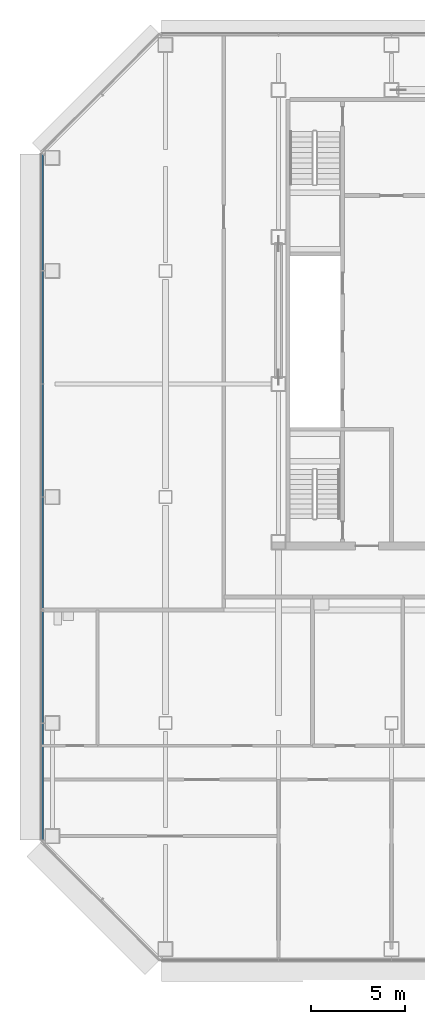
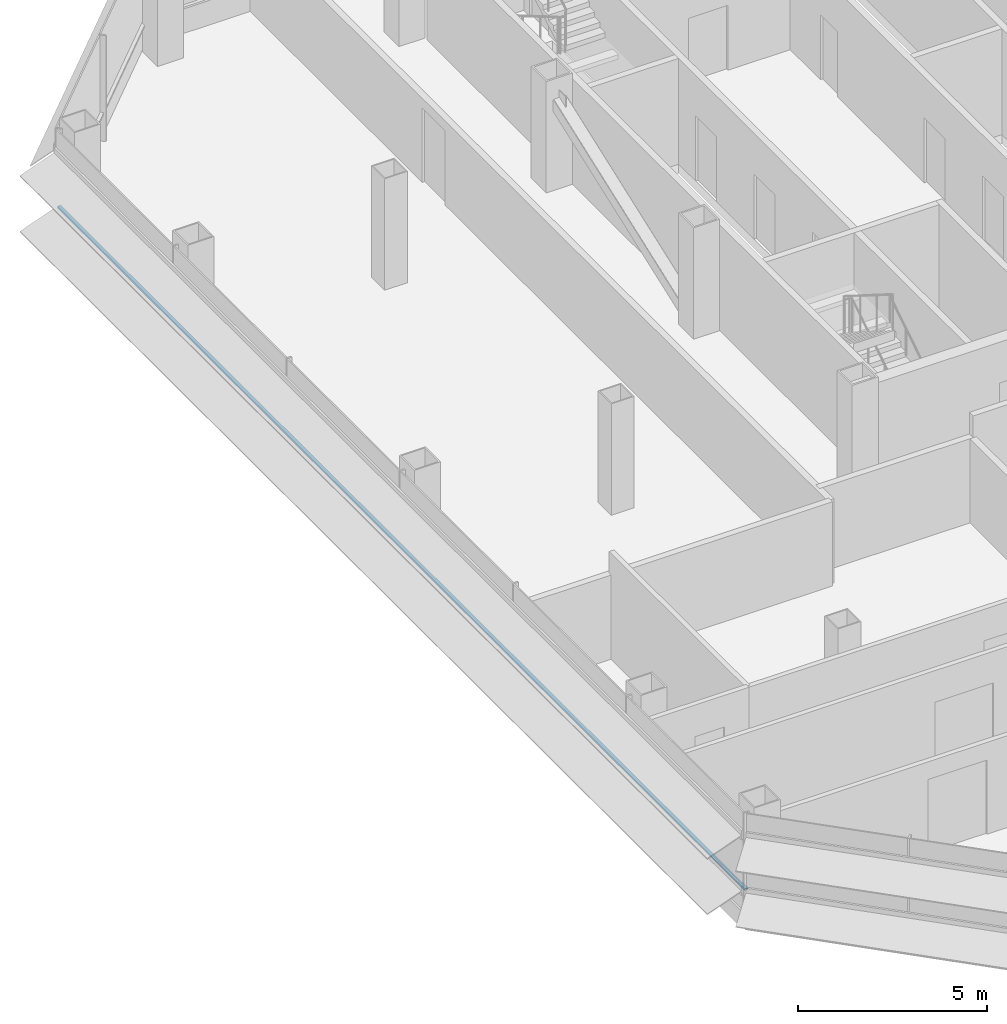
# One storey, part 5 of 28: 1 member, 1 element without a shape of its own.
"""IFC4 building model written with IfcOpenShell, lengths in metres."""

from ifc_helpers import new_model, si_unit, direction, frame, origin, origin_2d, place, context, subcontext, project, spatial, rectangle, extrude, material, material_profile, profile_set, type_object, element, aggregate, save


model = new_model("IFC4")

# Units and contexts
model_context = context("Model", 3, precision=1e-05, world=origin(), true_north=direction((0.0, 1.0)))
body_context = subcontext(model_context, "Body", "Model", "MODEL_VIEW")
ifc_project = project(units=[si_unit("LENGTHUNIT", "METRE"), si_unit("AREAUNIT", "SQUARE_METRE"), si_unit("VOLUMEUNIT", "CUBIC_METRE"), si_unit("PLANEANGLEUNIT", "RADIAN"), si_unit("MASSUNIT", "GRAM", prefix="KILO")], contexts=[model_context])

# Site, building, storey
site_placement = place(None, origin())
site = spatial("IfcSite", under=ifc_project, at=site_placement, CompositionType="ELEMENT")
building_placement = place(site_placement, origin())
building = spatial("IfcBuilding", under=site, at=building_placement, Name="Sorahane Residences", CompositionType="ELEMENT")
storey_placement = place(building_placement, frame((0.0, 0.0, 96.199951171875)))
storey = spatial("IfcBuildingStorey", under=building, at=storey_placement, Name="L20", CompositionType="ELEMENT", Elevation=96.199951171875)

# Curtain wall, member
ifc_material_1 = material(Name="Dark low-e glass and black anodised aluminium", Category="aluminium")
curtain_wall_type = type_object("IfcCurtainWallType", Name="Curtain wall CW-1 Typical unitised wall", PredefinedType="NOTDEFINED", material=ifc_material_1)
curtain_wall_placement = place(storey_placement, origin())
curtain_wall = element("IfcCurtainWall", 1, at=curtain_wall_placement, inside=storey, type_object=curtain_wall_type, Name="CW-1 curtain wall L20 W1", PredefinedType="NOTDEFINED")
ifc_material_2 = material(Name="Black anodised aluminium", Category="aluminium")
ifc_material_profile = material_profile(ifc_material_2, rectangle(XDim=0.10009765625, YDim=0.06005859375, at=origin_2d()), Name="Curtain wall transom CW-1 black anodised aluminium 60x100")
ifc_profile_set = profile_set([ifc_material_profile], Name="Black anodised aluminium")
member_type = type_object("IfcMemberType", Name="Curtain wall transom CW-1 black anodised aluminium 60x100", PredefinedType="USERDEFINED", material=ifc_profile_set)
member_placement = place(storey_placement, frame((-6.530029296875, 42.198486328125, 0.900146484375), z_axis=(0.0, -1.0, 0.0), x_axis=(1.0, 0.0, 0.0)))
member = element("IfcMember", 2, at=member_placement, type_object=member_type, Name="CW-1 transom L20 W1", ObjectType="TRANSOM", PredefinedType="USERDEFINED", context=body_context, shape_type="SweptSolid", body=[
    extrude(rectangle(XDim=0.10009765625, YDim=0.06005859375, at=origin_2d()), origin(), (0.0, 0.0, 1.0), 36.39697265625),
])
aggregate(curtain_wall, [member])

save(model, "model.ifc")
